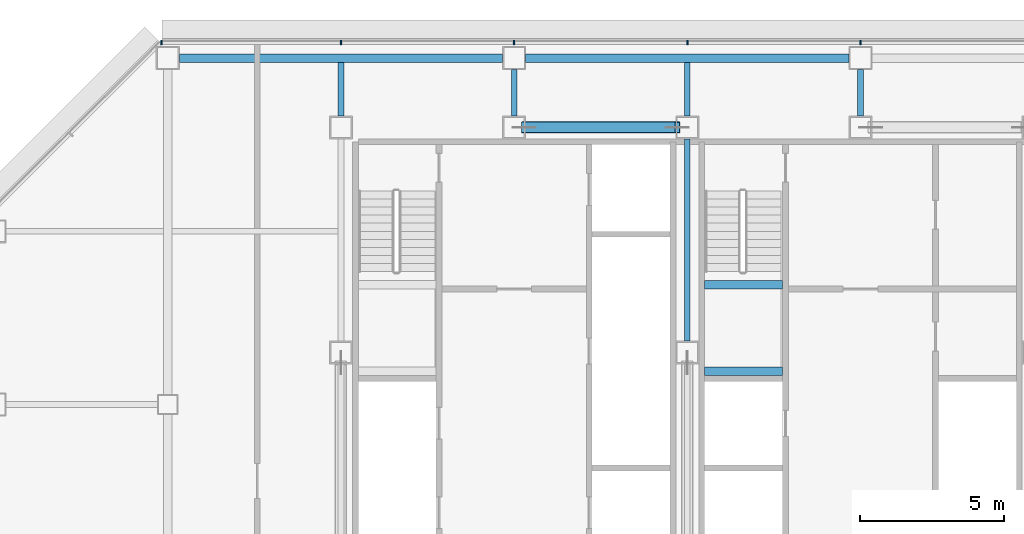
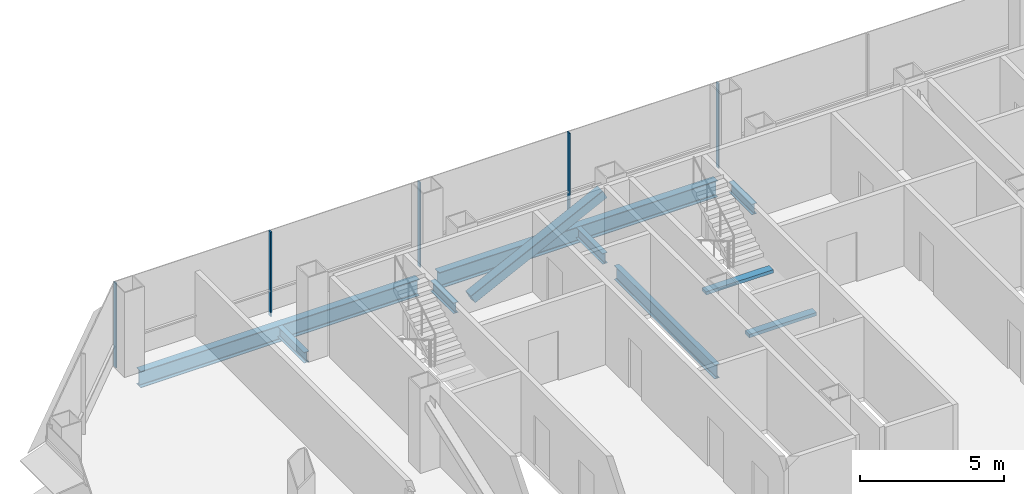
# One storey, part 12 of 25: 9 beams, 6 members, 1 element without a shape of its own.
"""IFC4 building model written with IfcOpenShell, lengths in metres."""

import ifcopenshell
import ifcopenshell.guid

model = None  # the IFC model being written
_history = None  # IfcOwnerHistory: only IFC2X3 demands one
_inside = {}  # id of a spatial element -> (the spatial element, [elements in it])
_under = {}  # id of a project, library or spatial element -> (it, [spatial elements below it])
_declared = {}  # id of a project -> (the project, [libraries it declares])
_typed = {}  # id of a type object -> (the type object, [elements of that type])
_made_of = {}  # id of a material, layer set ... -> (it, [elements and type objects made of it])


def new_model(schema):
    """Start an empty IFC model of exactly this schema.

    Asked for "IFC4X3", IfcOpenShell would pick the latest addendum, in which some entities
    have other attributes; the version numbers below select the first issue.
    IFC2X3 requires an IfcOwnerHistory on every rooted entity: one is made here for all.
    """
    global model, _history
    if schema == "IFC4X3":
        model = ifcopenshell.file(schema_version=(4, 3, 0, 0))
    else:
        model = ifcopenshell.file(schema=schema)
    _inside.clear()
    _under.clear()
    _declared.clear()
    _typed.clear()
    _made_of.clear()
    _history = None
    if model.schema == "IFC2X3":
        org = make("IfcOrganization", Name="unknown")
        user = make(
            "IfcPersonAndOrganization",
            ThePerson=make("IfcPerson", FamilyName="unknown"),
            TheOrganization=org,
        )
        app = make(
            "IfcApplication",
            ApplicationDeveloper=org,
            Version="unknown",
            ApplicationFullName="unknown",
            ApplicationIdentifier="unknown",
        )
        _history = make(
            "IfcOwnerHistory",
            OwningUser=user,
            OwningApplication=app,
            ChangeAction="ADDED",
            CreationDate=0,
        )
    return model


def make(cls, **values):
    """One entity of the class cls with the attributes given. An attribute that is None is left unset."""
    return model.create_entity(
        cls, **{name: value for name, value in values.items() if value is not None}
    )


def rooted(cls, **values):
    """An entity with a GlobalId (a new one), such as an element, a storey or a relation."""
    return make(cls, GlobalId=ifcopenshell.guid.new(), OwnerHistory=_history, **values)


def si_unit(unit_type, name, prefix=None):
    """IfcSIUnit, for example si_unit("LENGTHUNIT", "METRE", prefix="MILLI")."""
    return make("IfcSIUnit", UnitType=unit_type, Prefix=prefix, Name=name)


def assignment(units):
    """IfcUnitAssignment: the units of a project."""
    return None if units is None else make("IfcUnitAssignment", Units=units)


def point(xyz):
    """IfcCartesianPoint."""
    return None if xyz is None else make("IfcCartesianPoint", Coordinates=xyz)


def direction(xyz):
    """IfcDirection."""
    return None if xyz is None else make("IfcDirection", DirectionRatios=xyz)


def frame(location, z_axis=None, x_axis=None):
    """IfcAxis2Placement3D, a coordinate frame: its origin and axes. An axis left out is left unset."""
    return make(
        "IfcAxis2Placement3D",
        Location=point(location),
        Axis=direction(z_axis),
        RefDirection=direction(x_axis),
    )


def frame_2d(location, x_axis=None):
    """IfcAxis2Placement2D, a coordinate frame in the plane: its origin and x axis."""
    return make(
        "IfcAxis2Placement2D", Location=point(location), RefDirection=direction(x_axis)
    )


def origin():
    """The frame at (0, 0, 0) with its axes left unset."""
    return frame((0.0, 0.0, 0.0))


def origin_2d():
    """The frame at (0, 0) in the plane with its x axis left unset."""
    return frame_2d((0.0, 0.0))


def place(relative_to, where):
    """IfcLocalPlacement: puts the frame where relative to a parent placement (None: the world)."""
    return make(
        "IfcLocalPlacement", PlacementRelTo=relative_to, RelativePlacement=where
    )


def context(
    kind, dimensions, precision=None, world=None, true_north=None, identifier=None
):
    """IfcGeometricRepresentationContext, for example the 3D "Model" context."""
    return make(
        "IfcGeometricRepresentationContext",
        ContextIdentifier=identifier,
        ContextType=kind,
        CoordinateSpaceDimension=dimensions,
        Precision=precision,
        WorldCoordinateSystem=world,
        TrueNorth=true_north,
    )


def subcontext(parent, identifier, kind, view, scale=None):
    """IfcGeometricRepresentationSubContext, for example "Body" below "Model"."""
    return make(
        "IfcGeometricRepresentationSubContext",
        ContextIdentifier=identifier,
        ContextType=kind,
        ParentContext=parent,
        TargetScale=scale,
        TargetView=view,
    )


def project(units=None, contexts=None):
    """IfcProject with its units and contexts."""
    return rooted(
        "IfcProject",
        Name="project",
        RepresentationContexts=contexts,
        UnitsInContext=assignment(units),
    )


def spatial(cls, under=None, at=None, **own):
    """A site, building, storey or space (cls), placed at a placement, below another one or the project."""
    s = rooted(cls, ObjectPlacement=at, **own)
    if under is not None:
        _under.setdefault(under.id(), (under, []))[1].append(s)
    return s


def profile(cls, at=None, kind="AREA", **sizes):
    """A parametric profile (cls). Its sizes go by their IFC names, for example OverallWidth=200.0."""
    return make(cls, ProfileType=kind, Position=at, **sizes)


def rectangle(**sizes):
    """IfcRectangleProfileDef."""
    return profile("IfcRectangleProfileDef", **sizes)


def hollow_rectangle(**sizes):
    """IfcRectangleHollowProfileDef."""
    return profile("IfcRectangleHollowProfileDef", **sizes)


def i_section(**sizes):
    """IfcIShapeProfileDef."""
    return profile("IfcIShapeProfileDef", **sizes)


def extrude(swept, where, along, depth):
    """IfcExtrudedAreaSolid: the profile swept, set in the frame where, extruded along a direction by depth."""
    return make(
        "IfcExtrudedAreaSolid",
        SweptArea=swept,
        Position=where,
        ExtrudedDirection=direction(along),
        Depth=depth,
    )


def shape(context_of_items, identifier, shape_type, items):
    """IfcShapeRepresentation: the items that make up one representation, for example the "Body"."""
    return make(
        "IfcShapeRepresentation",
        ContextOfItems=context_of_items,
        RepresentationIdentifier=identifier,
        RepresentationType=shape_type,
        Items=items,
    )


def material(Name=None, Category=None):
    """IfcMaterial."""
    return make("IfcMaterial", Name=Name, Category=Category)


def material_profile(
    of_material, cross_section, Name=None, Category=None, Priority=None
):
    """IfcMaterialProfile: a cross section and its material."""
    return make(
        "IfcMaterialProfile",
        Name=Name,
        Material=of_material,
        Profile=cross_section,
        Priority=Priority,
        Category=Category,
    )


def profile_set(profiles, Name=None, composite=None):
    """IfcMaterialProfileSet."""
    return make(
        "IfcMaterialProfileSet",
        Name=Name,
        MaterialProfiles=profiles,
        CompositeProfile=composite,
    )


def made_of(thing, what):
    """Note that an element or type object is made of a material, layer set ...; save() writes the relation."""
    if what is not None:
        _made_of.setdefault(what.id(), (what, []))[1].append(thing)
    return thing


def type_object(cls, material=None, **own):
    """A type object (cls), such as IfcWallType, which elements share."""
    return made_of(rooted(cls, **own), material)


def element(
    cls,
    number,
    at=None,
    inside=None,
    cuts=None,
    type_object=None,
    material=None,
    context=None,
    identifier="Body",
    shape_type=None,
    held_by="IfcProductDefinitionShape",
    body=None,
    shapes=None,
    **own,
):
    """One element of the class cls, such as IfcWall. Its Tag is "e" and its number.

    at: its placement. inside: the storey or other place that contains it. cuts: it is an
    opening in that element (IfcRelVoidsElement). A single representation is given by context,
    identifier, shape_type and body (its items); several are given by shapes. held_by: the class
    of the entity that holds the representations. save() writes the other relations.
    """
    e = rooted(cls, Tag="e%d" % number, ObjectPlacement=at, **own)
    if body is not None:
        shapes = [shape(context, identifier, shape_type, body)]
    if shapes is not None:
        e.Representation = make(held_by, Representations=shapes)
    if inside is not None:
        _inside.setdefault(inside.id(), (inside, []))[1].append(e)
    if cuts is not None:
        rooted(
            "IfcRelVoidsElement", RelatingBuildingElement=cuts, RelatedOpeningElement=e
        )
    if type_object is not None:
        _typed.setdefault(type_object.id(), (type_object, []))[1].append(e)
    return made_of(e, material)


def aggregate(whole, parts):
    """IfcRelAggregates: a whole, such as a stair, and the parts it consists of."""
    return rooted("IfcRelAggregates", RelatingObject=whole, RelatedObjects=parts)


def save(model, path):
    """Write the relations noted so far, then the file.

    IfcRelAggregates (storeys below a building ...), IfcRelContainedInSpatialStructure (elements
    in a storey), IfcRelDefinesByType, IfcRelAssociatesMaterial and IfcRelDeclares: one each for
    every whole, place, type object, material and project.
    """
    for whole, parts in _under.values():
        aggregate(whole, parts)
    for where, things in _inside.values():
        rooted(
            "IfcRelContainedInSpatialStructure",
            RelatedElements=things,
            RelatingStructure=where,
        )
    for kind, things in _typed.values():
        rooted("IfcRelDefinesByType", RelatedObjects=things, RelatingType=kind)
    for what, things in _made_of.values():
        rooted("IfcRelAssociatesMaterial", RelatedObjects=things, RelatingMaterial=what)
    for by, libraries in _declared.values():
        rooted("IfcRelDeclares", RelatingContext=by, RelatedDefinitions=libraries)
    model.write(path)


model = new_model("IFC4")

# Units and contexts
model_context = context("Model", 3, precision=1e-05, world=origin(), true_north=direction((0.0, 1.0)))
body_context = subcontext(model_context, "Body", "Model", "MODEL_VIEW")
ifc_project = project(units=[si_unit("LENGTHUNIT", "METRE"), si_unit("AREAUNIT", "SQUARE_METRE"), si_unit("VOLUMEUNIT", "CUBIC_METRE"), si_unit("PLANEANGLEUNIT", "RADIAN"), si_unit("MASSUNIT", "GRAM", prefix="KILO")], contexts=[model_context])

# Site, building, storey
site_placement = place(None, origin())
site = spatial("IfcSite", under=ifc_project, at=site_placement, CompositionType="ELEMENT")
building_placement = place(site_placement, origin())
building = spatial("IfcBuilding", under=site, at=building_placement, Name="Sorahane Residences", CompositionType="ELEMENT")
storey_placement = place(building_placement, frame((0.0, 0.0, 119.60009765625)))
storey = spatial("IfcBuildingStorey", under=building, at=storey_placement, Name="L26", CompositionType="ELEMENT", Elevation=119.60009765625)

# Member
ifc_material_1 = material(Name="Steel Q355B", Category="steel")
ifc_material_profile_1 = material_profile(ifc_material_1, hollow_rectangle(XDim=0.39990234375, YDim=0.39990234375, WallThickness=0.02001953125, InnerFilletRadius=0.010009765625, OuterFilletRadius=0.030029296875, at=origin_2d()), Name="RHS 400x400x20")
ifc_profile_set_1 = profile_set([ifc_material_profile_1], Name="Steel Q355B")
member_type_1 = type_object("IfcMemberType", Name="Core brace RHS 400x400x20 Q355B", PredefinedType="BRACE", material=ifc_profile_set_1)
member_1_placement = place(storey_placement, frame((12.346923828125, 45.60009765625, 0.173583984375), z_axis=(0.896480070819, 0.0, 0.443084058192), x_axis=(0.0, 1.0, 0.0)))
element("IfcMember", 1, at=member_1_placement, inside=storey, type_object=member_type_1, Name="Core brace L26 y45.6-2", PredefinedType="BRACE", context=body_context, shape_type="SweptSolid", body=[
    extrude(hollow_rectangle(XDim=0.39990234375, YDim=0.39990234375, WallThickness=0.02001953125, InnerFilletRadius=0.010009765625, OuterFilletRadius=0.030029296875, at=origin_2d()), origin(), (0.0, 0.0, 1.0), 5.9189453125),
])

# Curtain wall, members
ifc_material_2 = material(Name="Dark low-e glass and black anodised aluminium", Category="aluminium")
curtain_wall_type = type_object("IfcCurtainWallType", Name="Curtain wall CW-1 Typical unitised wall", PredefinedType="NOTDEFINED", material=ifc_material_2)
curtain_wall_placement = place(storey_placement, origin())
curtain_wall = element("IfcCurtainWall", 2, at=curtain_wall_placement, inside=storey, type_object=curtain_wall_type, Name="CW-1 curtain wall L26 N1", PredefinedType="NOTDEFINED")
ifc_material_3 = material(Name="Black anodised aluminium", Category="aluminium")
ifc_material_profile_2 = material_profile(ifc_material_3, rectangle(XDim=0.159912109375, YDim=0.050048828125, at=origin_2d()), Name="Curtain wall mullion CW-1 black anodised aluminium 50x160")
ifc_profile_set_2 = profile_set([ifc_material_profile_2], Name="Black anodised aluminium")
member_type_2 = type_object("IfcMemberType", Name="Curtain wall mullion CW-1 black anodised aluminium 50x160", PredefinedType="MULLION", material=ifc_profile_set_2)
member_2_placement = place(storey_placement, frame((24.0, 48.5400390625, -0.18017578125), z_axis=(0.0, 0.0, 1.0), x_axis=(0.0, 1.0, 0.0)))
member_2 = element("IfcMember", 3, at=member_2_placement, type_object=member_type_2, Name="CW-1 mullion L26 N1.6", PredefinedType="MULLION", context=body_context, shape_type="SweptSolid", body=[
    extrude(rectangle(XDim=0.159912109375, YDim=0.050048828125, at=origin_2d()), origin(), (0.0, 0.0, 1.0), 3.60009765625),
])
member_3_placement = place(storey_placement, frame((18.0, 48.5400390625, -0.18017578125), z_axis=(0.0, 0.0, 1.0), x_axis=(0.0, 1.0, 0.0)))
member_3 = element("IfcMember", 4, at=member_3_placement, type_object=member_type_2, Name="CW-1 mullion L26 N1.7", PredefinedType="MULLION", context=body_context, shape_type="SweptSolid", body=[
    extrude(rectangle(XDim=0.159912109375, YDim=0.050048828125, at=origin_2d()), origin(), (0.0, 0.0, 1.0), 3.60009765625),
])
member_4_placement = place(storey_placement, frame((12.0, 48.5400390625, -0.18017578125), z_axis=(0.0, 0.0, 1.0), x_axis=(0.0, 1.0, 0.0)))
member_4 = element("IfcMember", 5, at=member_4_placement, type_object=member_type_2, Name="CW-1 mullion L26 N1.8", PredefinedType="MULLION", context=body_context, shape_type="SweptSolid", body=[
    extrude(rectangle(XDim=0.159912109375, YDim=0.050048828125, at=origin_2d()), origin(), (0.0, 0.0, 1.0), 3.60009765625),
])
member_5_placement = place(storey_placement, frame((6.0, 48.5400390625, -0.18017578125), z_axis=(0.0, 0.0, 1.0), x_axis=(0.0, 1.0, 0.0)))
member_5 = element("IfcMember", 6, at=member_5_placement, type_object=member_type_2, Name="CW-1 mullion L26 N1.9", PredefinedType="MULLION", context=body_context, shape_type="SweptSolid", body=[
    extrude(rectangle(XDim=0.159912109375, YDim=0.050048828125, at=origin_2d()), origin(), (0.0, 0.0, 1.0), 3.60009765625),
])
member_6_placement = place(storey_placement, frame((-0.2236328125, 48.5400390625, -0.18017578125), z_axis=(0.0, 0.0, 1.0), x_axis=(0.0, 1.0, 0.0)))
member_6 = element("IfcMember", 7, at=member_6_placement, type_object=member_type_2, Name="CW-1 mullion L26 N1.10", PredefinedType="MULLION", context=body_context, shape_type="SweptSolid", body=[
    extrude(rectangle(XDim=0.159912109375, YDim=0.050048828125, at=origin_2d()), origin(), (0.0, 0.0, 1.0), 3.60009765625),
])
aggregate(curtain_wall, [member_2, member_3, member_4, member_5, member_6])

# Beams
ifc_material_4 = material(Name="Concrete C40", Category="concrete")
ifc_material_profile_3 = material_profile(ifc_material_4, rectangle(XDim=0.300048828125, YDim=0.139892578125, at=origin_2d()), Name="300x140")
ifc_profile_set_3 = profile_set([ifc_material_profile_3], Name="Concrete C40")
beam_type_1 = type_object("IfcBeamType", Name="RC landing beam 300 x 140 Concrete C40", PredefinedType="BEAM", material=ifc_profile_set_3)
for number, where, z_axis, x_axis, name in (
    (8, (18.60009765625, 37.14990234375, 1.52978515625), (1.0, 0.0, 0.0), (0.0, 1.0, 0.0), "Landing beam"),
    (9, (18.60009765625, 40.14990234375, 1.52978515625), (1.0, 0.0, 0.0), (0.0, 1.0, 0.0), "Landing beam"),
):
    element("IfcBeam", number, at=place(storey_placement, frame(where, z_axis=z_axis, x_axis=x_axis)), inside=storey, type_object=beam_type_1, Name=name, PredefinedType="BEAM", context=body_context, shape_type="SweptSolid", body=[
        extrude(rectangle(XDim=0.300048828125, YDim=0.139892578125, at=origin_2d()), origin(), (0.0, 0.0, 1.0), 2.699951171875),
    ])
ifc_material_5 = material(Name="Steel Q355B", Category="steel")
ifc_material_profile_4 = material_profile(ifc_material_5, i_section(OverallWidth=0.199951171875, OverallDepth=0.449951171875, WebThickness=0.009033203125, FlangeThickness=0.013916015625, FilletRadius=0.02001953125, at=origin_2d()), Name="HN 450x200x9x14")
ifc_profile_set_4 = profile_set([ifc_material_profile_4], Name="Steel Q355B")
beam_type_2 = type_object("IfcBeamType", Name="Steel floor beam HN 450x200x9x14 Q355B", PredefinedType="BEAM", material=ifc_profile_set_4)
beam_1_placement = place(storey_placement, frame((6.0, 46.0, -0.405029296875), z_axis=(0.0, 1.0, 0.0), x_axis=(-1.0, 0.0, 0.0)))
element("IfcBeam", 10, at=beam_1_placement, inside=storey, type_object=beam_type_2, Name="Beam L26 033", PredefinedType="BEAM", context=body_context, shape_type="SweptSolid", body=[
    extrude(i_section(OverallWidth=0.199951171875, OverallDepth=0.449951171875, WebThickness=0.009033203125, FlangeThickness=0.013916015625, FilletRadius=0.02001953125, at=origin_2d()), origin(), (0.0, 0.0, 1.0), 1.85009765625),
])
beam_2_placement = place(storey_placement, frame((12.0, 46.0, -0.405029296875), z_axis=(0.0, 1.0, 0.0), x_axis=(-1.0, 0.0, 0.0)))
element("IfcBeam", 11, at=beam_2_placement, inside=storey, type_object=beam_type_2, Name="Beam L26 035", PredefinedType="BEAM", context=body_context, shape_type="SweptSolid", body=[
    extrude(i_section(OverallWidth=0.199951171875, OverallDepth=0.449951171875, WebThickness=0.009033203125, FlangeThickness=0.013916015625, FilletRadius=0.02001953125, at=origin_2d()), origin(), (0.0, 0.0, 1.0), 1.60009765625),
])
beam_3_placement = place(storey_placement, frame((18.0, 46.0, -0.405029296875), z_axis=(0.0, 1.0, 0.0), x_axis=(-1.0, 0.0, 0.0)))
element("IfcBeam", 12, at=beam_3_placement, inside=storey, type_object=beam_type_2, Name="Beam L26 041", PredefinedType="BEAM", context=body_context, shape_type="SweptSolid", body=[
    extrude(i_section(OverallWidth=0.199951171875, OverallDepth=0.449951171875, WebThickness=0.009033203125, FlangeThickness=0.013916015625, FilletRadius=0.02001953125, at=origin_2d()), origin(), (0.0, 0.0, 1.0), 1.85009765625),
])
beam_4_placement = place(storey_placement, frame((24.0, 46.0, -0.405029296875), z_axis=(0.0, 1.0, 0.0), x_axis=(-1.0, 0.0, 0.0)))
element("IfcBeam", 13, at=beam_4_placement, inside=storey, type_object=beam_type_2, Name="Beam L26 043", PredefinedType="BEAM", context=body_context, shape_type="SweptSolid", body=[
    extrude(i_section(OverallWidth=0.199951171875, OverallDepth=0.449951171875, WebThickness=0.009033203125, FlangeThickness=0.013916015625, FilletRadius=0.02001953125, at=origin_2d()), origin(), (0.0, 0.0, 1.0), 1.60009765625),
])
ifc_material_6 = material(Name="Steel Q355B", Category="steel")
ifc_material_profile_5 = material_profile(ifc_material_6, i_section(OverallWidth=0.199951171875, OverallDepth=0.60009765625, WebThickness=0.010986328125, FlangeThickness=0.01708984375, FilletRadius=0.02392578125, at=origin_2d()), Name="HN 600x200x11x17")
ifc_profile_set_5 = profile_set([ifc_material_profile_5], Name="Steel Q355B")
beam_type_3 = type_object("IfcBeamType", Name="Steel floor beam HN 600x200x11x17 Q355B", PredefinedType="BEAM", material=ifc_profile_set_5)
beam_5_placement = place(storey_placement, frame((18.0, 38.199951171875, -0.47998046875), z_axis=(0.0, 1.0, 0.0), x_axis=(-1.0, 0.0, 0.0)))
element("IfcBeam", 14, at=beam_5_placement, inside=storey, type_object=beam_type_3, Name="Beam L26 040", PredefinedType="BEAM", context=body_context, shape_type="SweptSolid", body=[
    extrude(i_section(OverallWidth=0.199951171875, OverallDepth=0.60009765625, WebThickness=0.010986328125, FlangeThickness=0.01708984375, FilletRadius=0.02392578125, at=origin_2d()), origin(), (0.0, 0.0, 1.0), 7.0),
])
ifc_material_7 = material(Name="Steel Q355B", Category="steel")
ifc_material_profile_6 = material_profile(ifc_material_7, i_section(OverallWidth=0.300048828125, OverallDepth=0.699951171875, WebThickness=0.012939453125, FlangeThickness=0.02392578125, FilletRadius=0.028076171875, at=origin_2d()), Name="HN 700x300x13x24")
ifc_profile_set_6 = profile_set([ifc_material_profile_6], Name="Steel Q355B")
beam_type_4 = type_object("IfcBeamType", Name="Steel floor beam HN 700x300x13x24 Q355B", PredefinedType="BEAM", material=ifc_profile_set_6)
for number, where, z_axis, x_axis, name in (
    (15, (0.39990234375, 48.0, -0.530029296875), (1.0, 0.0, 0.0), (0.0, 1.0, 0.0), "Beam L26 015"),
    (16, (12.39990234375, 48.0, -0.530029296875), (1.0, 0.0, 0.0), (0.0, 1.0, 0.0), "Beam L26 016"),
):
    element("IfcBeam", number, at=place(storey_placement, frame(where, z_axis=z_axis, x_axis=x_axis)), inside=storey, type_object=beam_type_4, Name=name, PredefinedType="BEAM", context=body_context, shape_type="SweptSolid", body=[
        extrude(i_section(OverallWidth=0.300048828125, OverallDepth=0.699951171875, WebThickness=0.012939453125, FlangeThickness=0.02392578125, FilletRadius=0.028076171875, at=origin_2d()), origin(), (0.0, 0.0, 1.0), 11.2001953125),
    ])

save(model, "model.ifc")
